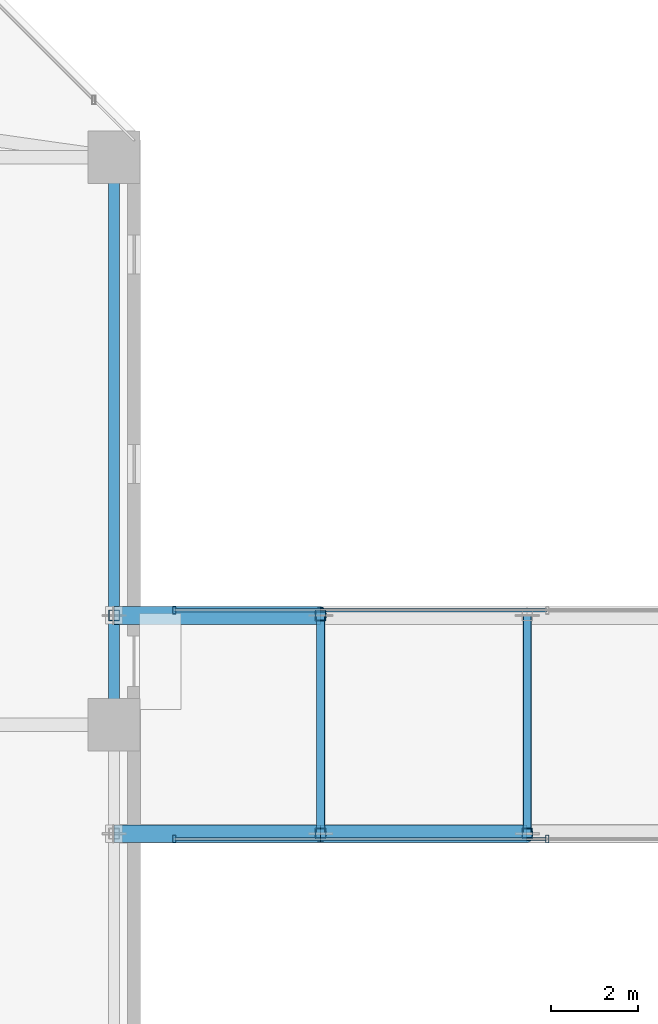
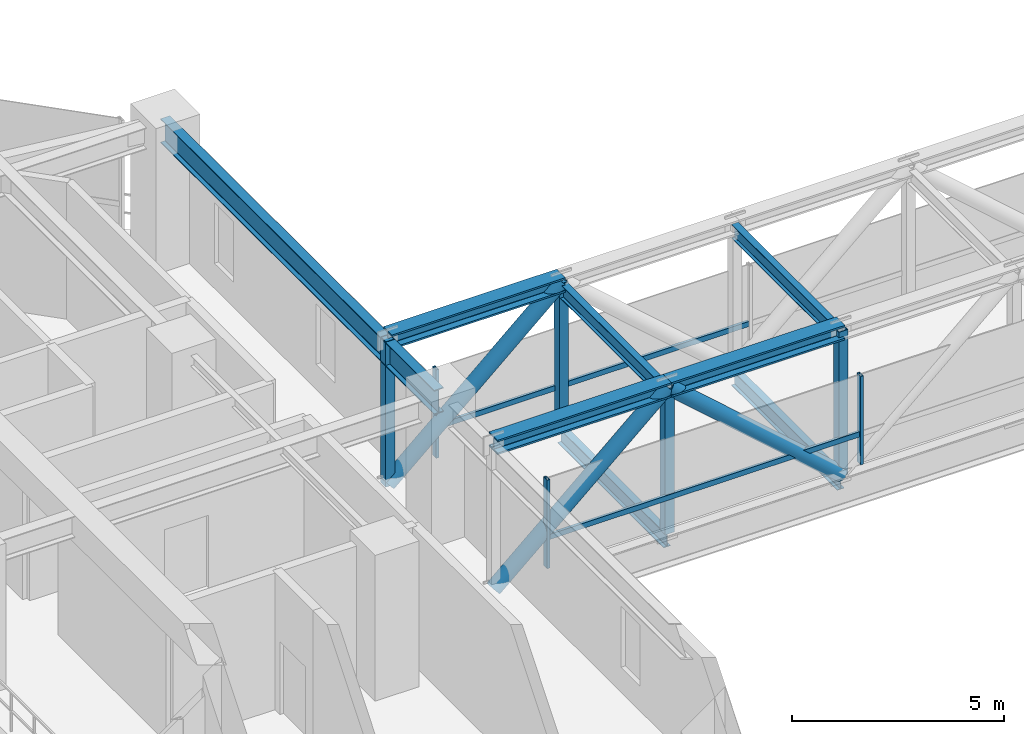
# One storey, part 7 of 45: 15 members, 5 beams, 2 elements without a shape of their own.
"""IFC4 building model written with IfcOpenShell, lengths in metres."""

from ifc_helpers import new_model, si_unit, direction, frame, origin, origin_2d, place, context, subcontext, project, spatial, hollow_rectangle, hollow_circle, i_section, extrude, material, material_profile, profile_set, type_object, element, aggregate, save


model = new_model("IFC4")

# Units and contexts
model_context = context("Model", 3, precision=1e-05, world=origin(), true_north=direction((0.0, 1.0)))
body_context = subcontext(model_context, "Body", "Model", "MODEL_VIEW")
ifc_project = project(units=[si_unit("LENGTHUNIT", "METRE"), si_unit("AREAUNIT", "SQUARE_METRE"), si_unit("VOLUMEUNIT", "CUBIC_METRE"), si_unit("PLANEANGLEUNIT", "RADIAN"), si_unit("MASSUNIT", "GRAM", prefix="KILO")], contexts=[model_context])

# Site, building, storey
site_placement = place(None, origin())
site = spatial("IfcSite", under=ifc_project, at=site_placement, CompositionType="ELEMENT")
building_placement = place(site_placement, origin())
building = spatial("IfcBuilding", under=site, at=building_placement, Name="Thornwick Lancets Civic Towers", CompositionType="ELEMENT")
storey_placement = place(building_placement, frame((0.0, 0.0, 141.300048828125)))
storey = spatial("IfcBuildingStorey", under=building, at=storey_placement, Name="L37", CompositionType="ELEMENT", Elevation=141.300048828125)

# Beams
ifc_material_1 = material(Name="Steel S355JR", Category="steel")
ifc_material_profile_1 = material_profile(ifc_material_1, i_section(OverallWidth=0.255859375, OverallDepth=0.69287109375, WebThickness=0.014404296875, FlangeThickness=0.023681640625, FilletRadius=0.01513671875, at=origin_2d()), Name="UKB 686x254x170")
ifc_profile_set_1 = profile_set([ifc_material_profile_1], Name="Steel S355JR")
beam_type_1 = type_object("IfcBeamType", Name="BM_GIRD_686_170", PredefinedType="BEAM", material=ifc_profile_set_1)
beam_placement = place(storey_placement, frame((42.800048828125, 27.080078125, 3.613525390625), z_axis=(0.0, 1.0, 0.0), x_axis=(-1.0, 0.0, 0.0)))
element("IfcBeam", 1, at=beam_placement, inside=storey, type_object=beam_type_1, Name="BM-SPINE-L37-A-4-5", PredefinedType="BEAM", context=body_context, shape_type="SweptSolid", body=[
    extrude(i_section(OverallWidth=0.255859375, OverallDepth=0.69287109375, WebThickness=0.014404296875, FlangeThickness=0.023681640625, FilletRadius=0.01513671875, at=origin_2d()), origin(), (0.0, 0.0, 1.0), 12.919921875),
])
ifc_material_profile_2 = material_profile(ifc_material_1, i_section(OverallWidth=0.179443359375, OverallDepth=0.412841796875, WebThickness=0.009521484375, FlangeThickness=0.01611328125, FilletRadius=0.01025390625, at=origin_2d()), Name="UKB 406x178x74")
ifc_profile_set_2 = profile_set([ifc_material_profile_2], Name="Steel S355JR")
beam_type_2 = type_object("IfcBeamType", Name="BM_JOIST_406_74", PredefinedType="JOIST", material=ifc_profile_set_2)
for number, where, z_axis, x_axis, name in (
    (2, (47.533203125, 24.5, 3.753662109375), (0.0, 1.0, 0.0), (-1.0, 0.0, 0.0), "BM-L37-SB-RBM-1"),
    (3, (52.2666015625, 24.5, 3.753662109375), (0.0, 1.0, 0.0), (-1.0, 0.0, 0.0), "BM-L37-SB-RBM-2"),
):
    element("IfcBeam", number, at=place(storey_placement, frame(where, z_axis=z_axis, x_axis=x_axis)), inside=storey, type_object=beam_type_2, Name=name, PredefinedType="JOIST", context=body_context, shape_type="SweptSolid", body=[
        extrude(i_section(OverallWidth=0.179443359375, OverallDepth=0.412841796875, WebThickness=0.009521484375, FlangeThickness=0.01611328125, FilletRadius=0.01025390625, at=origin_2d()), origin(), (0.0, 0.0, 1.0), 5.0),
    ])
ifc_material_profile_3 = material_profile(ifc_material_1, i_section(OverallWidth=0.19189453125, OverallDepth=0.46337890625, WebThickness=0.010498046875, FlangeThickness=0.017578125, FilletRadius=0.01025390625, at=origin_2d()), Name="UKB 457x191x89")
ifc_profile_set_3 = profile_set([ifc_material_profile_3], Name="Steel S355JR")
beam_type_3 = type_object("IfcBeamType", Name="BM_JOIST_457_89", PredefinedType="JOIST", material=ifc_profile_set_3)
for number, where, z_axis, x_axis, name in (
    (4, (47.533203125, 24.5, -0.45166015625), (0.0, 1.0, 0.0), (-1.0, 0.0, 0.0), "BM-L37-SB-XBM-1"),
    (5, (52.2666015625, 24.5, -0.45166015625), (0.0, 1.0, 0.0), (-1.0, 0.0, 0.0), "BM-L37-SB-XBM-2"),
):
    element("IfcBeam", number, at=place(storey_placement, frame(where, z_axis=z_axis, x_axis=x_axis)), inside=storey, type_object=beam_type_3, Name=name, PredefinedType="JOIST", context=body_context, shape_type="SweptSolid", body=[
        extrude(i_section(OverallWidth=0.19189453125, OverallDepth=0.46337890625, WebThickness=0.010498046875, FlangeThickness=0.017578125, FilletRadius=0.01025390625, at=origin_2d()), origin(), (0.0, 0.0, 1.0), 5.0),
    ])

# Curtain wall, members
ifc_material_2 = material(Name="Skybridge acoustic laminated-glass curtain wall", Category="glass")
curtain_wall_type = type_object("IfcCurtainWallType", Name="CW_SYS_06", PredefinedType="NOTDEFINED", material=ifc_material_2)
curtain_wall_1_placement = place(storey_placement, origin())
curtain_wall_1 = element("IfcCurtainWall", 6, at=curtain_wall_1_placement, inside=storey, type_object=curtain_wall_type, Name="L37 Curtain Wall CW-L37-SKYBRIDGE-S", PredefinedType="NOTDEFINED")
ifc_material_3 = material(Name="Thermally broken bronze aluminium S355", Category="steel")
ifc_material_profile_4 = material_profile(ifc_material_3, hollow_rectangle(XDim=0.074951171875, YDim=0.179931640625, WallThickness=0.006103515625, at=origin_2d()), Name="RHS 180x75x6")
ifc_profile_set_4 = profile_set([ifc_material_profile_4], Name="Thermally broken bronze aluminium S355")
member_type_1 = type_object("IfcMemberType", Name="CW_MUL_180", PredefinedType="MULLION", material=ifc_profile_set_4)
member_1_placement = place(storey_placement, frame((44.179931640625, 24.3798828125, 0.0), z_axis=(0.0, 0.0, 1.0), x_axis=(1.0, 0.0, 0.0)))
member_1 = element("IfcMember", 7, at=member_1_placement, type_object=member_type_1, Name="CW-L37-SKYBRIDGE-S Mullion 0", PredefinedType="MULLION", context=body_context, shape_type="SweptSolid", body=[
    extrude(hollow_rectangle(XDim=0.074951171875, YDim=0.179931640625, WallThickness=0.006103515625, at=origin_2d()), origin(), (0.0, 0.0, 1.0), 2.550048828125),
])
member_2_placement = place(storey_placement, frame((52.726806640625, 24.3798828125, 0.0), z_axis=(0.0, 0.0, 1.0), x_axis=(1.0, 0.0, 0.0)))
member_2 = element("IfcMember", 8, at=member_2_placement, type_object=member_type_1, Name="CW-L37-SKYBRIDGE-S Mullion 1", PredefinedType="MULLION", context=body_context, shape_type="SweptSolid", body=[
    extrude(hollow_rectangle(XDim=0.074951171875, YDim=0.179931640625, WallThickness=0.006103515625, at=origin_2d()), origin(), (0.0, 0.0, 1.0), 2.550048828125),
])

# Curtain wall, member
curtain_wall_2_placement = place(storey_placement, origin())
curtain_wall_2 = element("IfcCurtainWall", 9, at=curtain_wall_2_placement, inside=storey, type_object=curtain_wall_type, Name="L37 Curtain Wall CW-L37-SKYBRIDGE-N", PredefinedType="NOTDEFINED")
member_3_placement = place(storey_placement, frame((44.179931640625, 29.6201171875, 0.0), z_axis=(0.0, 0.0, 1.0), x_axis=(1.0, 0.0, 0.0)))
member_3 = element("IfcMember", 10, at=member_3_placement, type_object=member_type_1, Name="CW-L37-SKYBRIDGE-N Mullion 3", PredefinedType="MULLION", context=body_context, shape_type="SweptSolid", body=[
    extrude(hollow_rectangle(XDim=0.074951171875, YDim=0.179931640625, WallThickness=0.006103515625, at=origin_2d()), origin(), (0.0, 0.0, 1.0), 2.550048828125),
])

# Member
ifc_material_profile_5 = material_profile(ifc_material_3, hollow_rectangle(XDim=0.074951171875, YDim=0.14990234375, WallThickness=0.0048828125, at=origin_2d()), Name="RHS 150x75x5")
ifc_profile_set_5 = profile_set([ifc_material_profile_5], Name="Thermally broken bronze aluminium S355")
member_type_2 = type_object("IfcMemberType", Name="CW_TRN_150", PredefinedType="USERDEFINED", material=ifc_profile_set_5)
member_4_placement = place(storey_placement, frame((44.199951171875, 24.3798828125, 0.849853515625), z_axis=(1.0, 0.0, 0.0), x_axis=(0.0, 1.0, 0.0)))
member_4 = element("IfcMember", 11, at=member_4_placement, type_object=member_type_2, Name="CW-L37-SKYBRIDGE-S Transom 0", ObjectType="TRANSOM", PredefinedType="USERDEFINED", context=body_context, shape_type="SweptSolid", body=[
    extrude(hollow_rectangle(XDim=0.074951171875, YDim=0.14990234375, WallThickness=0.0048828125, at=origin_2d()), origin(), (0.0, 0.0, 1.0), 8.5068359375),
])

aggregate(curtain_wall_1, [member_1, member_2, member_4])

member_5_placement = place(storey_placement, frame((52.706787109375, 29.6201171875, 0.849853515625), z_axis=(-1.0, 0.0, 0.0), x_axis=(0.0, -1.0, 0.0)))
member_5 = element("IfcMember", 12, at=member_5_placement, type_object=member_type_2, Name="CW-L37-SKYBRIDGE-N Transom 2", ObjectType="TRANSOM", PredefinedType="USERDEFINED", context=body_context, shape_type="SweptSolid", body=[
    extrude(hollow_rectangle(XDim=0.074951171875, YDim=0.14990234375, WallThickness=0.0048828125, at=origin_2d()), origin(), (0.0, 0.0, 1.0), 8.5068359375),
])

aggregate(curtain_wall_2, [member_3, member_5])

# Members
ifc_material_4 = material(Name="Steel S460M", Category="steel")
ifc_material_profile_6 = material_profile(ifc_material_4, i_section(OverallWidth=0.406982421875, OverallDepth=0.4189453125, WebThickness=0.030517578125, FlangeThickness=0.04931640625, FilletRadius=0.01513671875, at=origin_2d()), Name="UKC 356x406x393")
ifc_profile_set_6 = profile_set([ifc_material_profile_6], Name="Steel S460M")
member_type_3 = type_object("IfcMemberType", Name="MEM_BRG_CHORD_393", PredefinedType="CHORD", material=ifc_profile_set_6)
member_6_placement = place(storey_placement, frame((42.800048828125, 24.5, 3.9599609375), z_axis=(1.0, 0.0, 0.0), x_axis=(0.0, 1.0, 0.0)))
element("IfcMember", 13, at=member_6_placement, inside=storey, type_object=member_type_3, Name="L37 Skybridge Top Chord 1-0", PredefinedType="CHORD", context=body_context, shape_type="SweptSolid", body=[
    extrude(i_section(OverallWidth=0.406982421875, OverallDepth=0.4189453125, WebThickness=0.030517578125, FlangeThickness=0.04931640625, FilletRadius=0.01513671875, at=origin_2d()), origin(), (0.0, 0.0, 1.0), 4.733154296875),
])
member_7_placement = place(storey_placement, frame((47.533203125, 24.5, 3.9599609375), z_axis=(1.0, 0.0, 0.0), x_axis=(0.0, 1.0, 0.0)))
element("IfcMember", 14, at=member_7_placement, inside=storey, type_object=member_type_3, Name="L37 Skybridge Top Chord 1-1", PredefinedType="CHORD", context=body_context, shape_type="SweptSolid", body=[
    extrude(i_section(OverallWidth=0.406982421875, OverallDepth=0.4189453125, WebThickness=0.030517578125, FlangeThickness=0.04931640625, FilletRadius=0.01513671875, at=origin_2d()), origin(), (0.0, 0.0, 1.0), 4.7333984375),
])
member_8_placement = place(storey_placement, frame((42.800048828125, 29.5, 3.9599609375), z_axis=(1.0, 0.0, 0.0), x_axis=(0.0, 1.0, 0.0)))
element("IfcMember", 15, at=member_8_placement, inside=storey, type_object=member_type_3, Name="L37 Skybridge Top Chord 2-0", PredefinedType="CHORD", context=body_context, shape_type="SweptSolid", body=[
    extrude(i_section(OverallWidth=0.406982421875, OverallDepth=0.4189453125, WebThickness=0.030517578125, FlangeThickness=0.04931640625, FilletRadius=0.01513671875, at=origin_2d()), origin(), (0.0, 0.0, 1.0), 4.733154296875),
])
ifc_material_profile_7 = material_profile(ifc_material_4, hollow_circle(Radius=0.203125, WallThickness=0.02001953125, at=origin_2d()), Name="CHS 406.4x20")
ifc_profile_set_7 = profile_set([ifc_material_profile_7], Name="Steel S460M")
member_type_4 = type_object("IfcMemberType", Name="MEM_BRG_WEB_CHS406", PredefinedType="BRACE", material=ifc_profile_set_7)
for number, where, z_axis, x_axis, name in (
    (16, (42.800048828125, 24.5, -0.219970703125), (0.749553457436, 0.0, 0.661943815173), (0.0, 1.0, 0.0), "L37 Skybridge Truss Diagonal 1-0"),
    (17, (47.533203125, 24.5, 3.9599609375), (0.749570397513, 0.0, -0.661924632547), (0.0, 1.0, 0.0), "L37 Skybridge Truss Diagonal 1-1"),
    (18, (42.800048828125, 29.5, -0.219970703125), (0.749553457436, 0.0, 0.661943815173), (0.0, 1.0, 0.0), "L37 Skybridge Truss Diagonal 2-0"),
):
    element("IfcMember", number, at=place(storey_placement, frame(where, z_axis=z_axis, x_axis=x_axis)), inside=storey, type_object=member_type_4, Name=name, PredefinedType="BRACE", context=body_context, shape_type="SweptSolid", body=[
        extrude(hollow_circle(Radius=0.203125, WallThickness=0.02001953125, at=origin_2d()), origin(), (0.0, 0.0, 1.0), 6.314697265625),
    ])
ifc_material_profile_8 = material_profile(ifc_material_4, hollow_rectangle(XDim=0.25, YDim=0.25, WallThickness=0.01611328125, at=origin_2d()), Name="SHS 250x250x16")
ifc_profile_set_8 = profile_set([ifc_material_profile_8], Name="Steel S460M")
member_type_5 = type_object("IfcMemberType", Name="MEM_BRG_WEB_SHS250", PredefinedType="BRACE", material=ifc_profile_set_8)
for number, where, z_axis, x_axis, name in (
    (19, (47.533203125, 24.5, -0.219970703125), (0.0, 0.0, 1.0), (1.0, 0.0, 0.0), "L37 Skybridge Truss Post 1-1"),
    (20, (52.2666015625, 24.5, -0.219970703125), (0.0, 0.0, 1.0), (1.0, 0.0, 0.0), "L37 Skybridge Truss Post 1-2"),
    (21, (42.800048828125, 29.5, -0.219970703125), (0.0, 0.0, 1.0), (1.0, 0.0, 0.0), "L37 Skybridge Truss Post 2-0"),
    (22, (47.533203125, 29.5, -0.219970703125), (0.0, 0.0, 1.0), (1.0, 0.0, 0.0), "L37 Skybridge Truss Post 2-1"),
):
    element("IfcMember", number, at=place(storey_placement, frame(where, z_axis=z_axis, x_axis=x_axis)), inside=storey, type_object=member_type_5, Name=name, PredefinedType="BRACE", context=body_context, shape_type="SweptSolid", body=[
        extrude(hollow_rectangle(XDim=0.25, YDim=0.25, WallThickness=0.01611328125, at=origin_2d()), origin(), (0.0, 0.0, 1.0), 4.179931640625),
    ])

save(model, "model.ifc")
